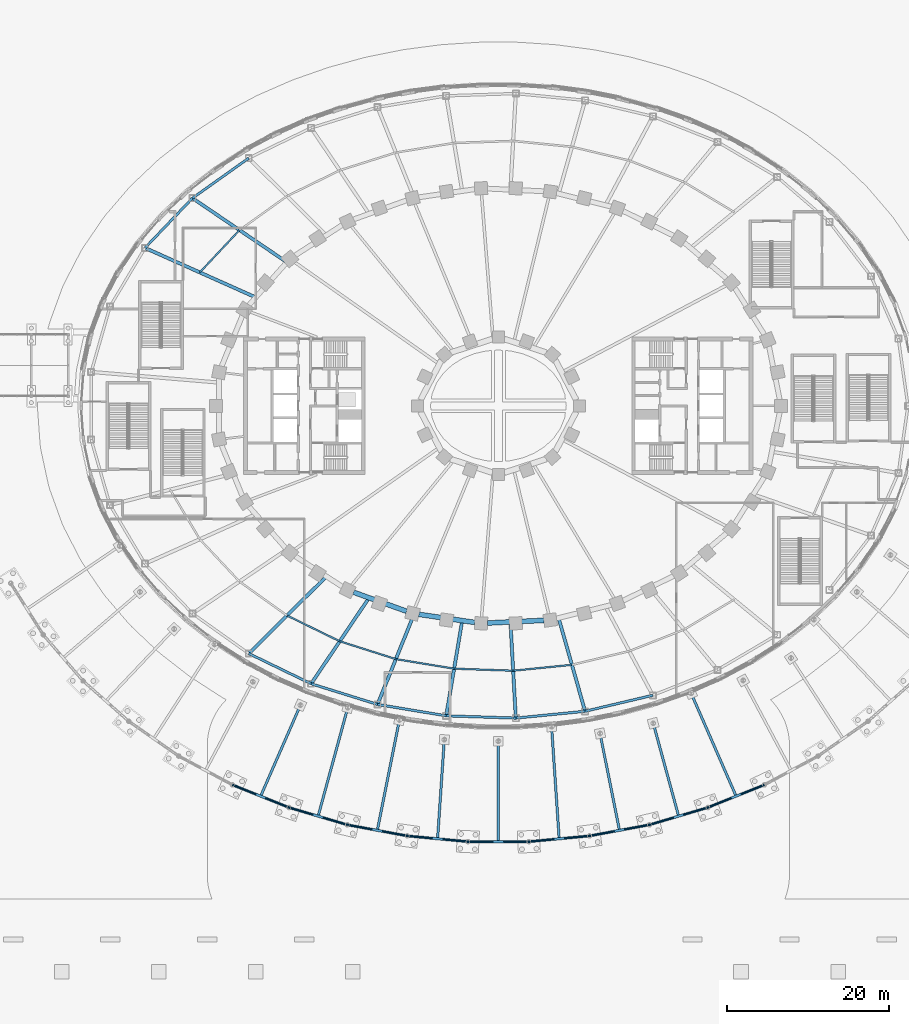
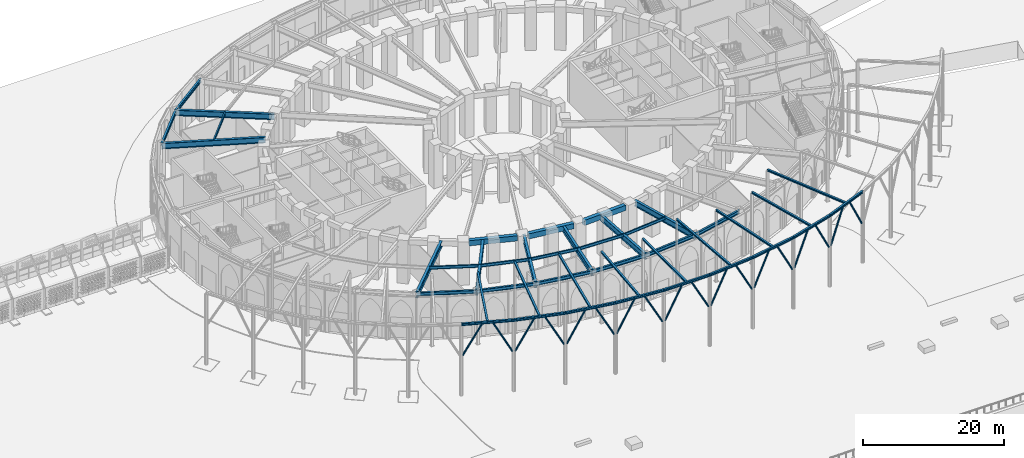
# One storey, part 30 of 79: 43 beams, 18 members.
"""IFC4 building model written with IfcOpenShell, lengths in metres."""

from ifc_helpers import new_model, si_unit, direction, frame, origin, origin_2d, place, context, subcontext, project, spatial, rectangle, hollow_circle, i_section, extrude, material, material_profile, profile_set, type_object, element, save


model = new_model("IFC4")

# Units and contexts
model_context = context("Model", 3, precision=1e-05, world=origin(), true_north=direction((0.0, 1.0)))
body_context = subcontext(model_context, "Body", "Model", "MODEL_VIEW")
ifc_project = project(units=[si_unit("LENGTHUNIT", "METRE"), si_unit("AREAUNIT", "SQUARE_METRE"), si_unit("VOLUMEUNIT", "CUBIC_METRE"), si_unit("PLANEANGLEUNIT", "RADIAN"), si_unit("MASSUNIT", "GRAM", prefix="KILO")], contexts=[model_context])

# Site, building, storey
site_placement = place(None, origin())
site = spatial("IfcSite", under=ifc_project, at=site_placement, CompositionType="ELEMENT")
building_placement = place(site_placement, origin())
building = spatial("IfcBuilding", under=site, at=building_placement, Name="Noorbagh Ring Tower", CompositionType="ELEMENT")
storey_placement = place(building_placement, origin())
storey = spatial("IfcBuildingStorey", under=building, at=storey_placement, Name="L00", CompositionType="ELEMENT", Elevation=0.0)

# Members
ifc_material_1 = material(Name="Steel S355", Category="steel")
ifc_material_profile_1 = material_profile(ifc_material_1, hollow_circle(Radius=0.136474609375, WallThickness=0.012451171875, at=origin_2d()), Name="CHS273x12.5")
ifc_profile_set_1 = profile_set([ifc_material_profile_1], Name="Steel S355")
member_type = type_object("IfcMemberType", Name="GND-CANOPY-BRANCH", PredefinedType="BRACE", material=ifc_profile_set_1)
member_1_placement = place(storey_placement, frame((-32.706298828125, -46.9375, 6.873291015625), z_axis=(0.438204609935, -0.176014723994, 0.881473503157), x_axis=(0.37272817373, 0.927940573802, 0.0)))
element("IfcMember", 1, at=member_1_placement, inside=storey, type_object=member_type, Name="Canopy branch 6.2", PredefinedType="BRACE", context=body_context, shape_type="SweptSolid", body=[
    extrude(hollow_circle(Radius=0.136474609375, WallThickness=0.012451171875, at=origin_2d()), origin(), (0.0, 0.0, 1.0), 5.9296875),
])
for number, where, z_axis, x_axis, name in (
    (2, (-26.086669921875, -49.5966796875, 6.873291015625), (-0.438171342181, 0.176017899626, 0.881489406574), (-0.372758331608, -0.927928459644, 0.0), "Canopy branch 7.1"),
    (3, (-25.709228515625, -49.72802734375, 6.873291015625), (0.452792551053, -0.133939635226, 0.881498201828), (0.283657804924, 0.958925570472, 0.0), "Canopy branch 7.2"),
    (4, (-18.8681640625, -51.751708984375, 6.873291015625), (-0.452792551053, 0.133939635226, 0.881498201828), (-0.283657804924, -0.958925570472, 0.0), "Canopy branch 8.1"),
    (5, (-18.479736328125, -51.844970703125, 6.873291015625), (0.464278402688, -0.086094904223, 0.88149488499), (0.182329683539, 0.983237451738, 0.0), "Canopy branch 8.2"),
):
    element("IfcMember", number, at=place(storey_placement, frame(where, z_axis=z_axis, x_axis=x_axis)), inside=storey, type_object=member_type, Name=name, PredefinedType="BRACE", context=body_context, shape_type="SweptSolid", body=[
        extrude(hollow_circle(Radius=0.136474609375, WallThickness=0.012451171875, at=origin_2d()), origin(), (0.0, 0.0, 1.0), 5.929443359375),
    ])
member_2_placement = place(storey_placement, frame((-11.46484375, -53.145751953125, 6.873291015625), z_axis=(-0.46431070055, 0.086093258389, 0.881478033881), x_axis=(-0.182314052691, -0.983240350164, 0.0)))
element("IfcMember", 6, at=member_2_placement, inside=storey, type_object=member_type, Name="Canopy branch 9.1", PredefinedType="BRACE", context=body_context, shape_type="SweptSolid", body=[
    extrude(hollow_circle(Radius=0.136474609375, WallThickness=0.012451171875, at=origin_2d()), origin(), (0.0, 0.0, 1.0), 5.9296875),
])
for number, where, z_axis, x_axis, name in (
    (7, (-11.069091796875, -53.200927734375, 6.873291015625), (0.470118473768, -0.04446732805, 0.881482431679), (0.094167184248, 0.995556397906, 0.0), "Canopy branch 9.2"),
    (8, (-3.96630859375, -53.872802734375, 6.873291015625), (-0.470118473768, 0.04446732805, 0.881482431679), (-0.094167184248, -0.995556397906, 0.0), "Canopy branch 10.1"),
):
    element("IfcMember", number, at=place(storey_placement, frame(where, z_axis=z_axis, x_axis=x_axis)), inside=storey, type_object=member_type, Name=name, PredefinedType="BRACE", context=body_context, shape_type="SweptSolid", body=[
        extrude(hollow_circle(Radius=0.136474609375, WallThickness=0.012451171875, at=origin_2d()), origin(), (0.0, 0.0, 1.0), 5.929443359375),
    ])
for number, where, z_axis, x_axis, name in (
    (9, (-3.567138671875, -53.8916015625, 6.873291015625), (0.472217984794, 0.0, 0.8814818063), (0.0, 1.0, 0.0), "Canopy branch 10.2"),
    (10, (3.567138671875, -53.8916015625, 6.873291015625), (-0.472217984794, 0.0, 0.8814818063), (0.0, -1.0, 0.0), "Canopy branch 11.1"),
):
    element("IfcMember", number, at=place(storey_placement, frame(where, z_axis=z_axis, x_axis=x_axis)), inside=storey, type_object=member_type, Name=name, PredefinedType="BRACE", context=body_context, shape_type="SweptSolid", body=[
        extrude(hollow_circle(Radius=0.136474609375, WallThickness=0.012451171875, at=origin_2d()), origin(), (0.0, 0.0, 1.0), 5.9296875),
    ])
for number, where, z_axis, x_axis, name in (
    (11, (3.96630859375, -53.872802734375, 6.873291015625), (0.470118473768, 0.04446732805, 0.881482431679), (-0.094167184248, 0.995556397906, 0.0), "Canopy branch 11.2"),
    (12, (11.069091796875, -53.200927734375, 6.873291015625), (-0.470118473768, -0.04446732805, 0.881482431679), (0.094167184248, -0.995556397906, 0.0), "Canopy branch 12.1"),
):
    element("IfcMember", number, at=place(storey_placement, frame(where, z_axis=z_axis, x_axis=x_axis)), inside=storey, type_object=member_type, Name=name, PredefinedType="BRACE", context=body_context, shape_type="SweptSolid", body=[
        extrude(hollow_circle(Radius=0.136474609375, WallThickness=0.012451171875, at=origin_2d()), origin(), (0.0, 0.0, 1.0), 5.929443359375),
    ])
member_3_placement = place(storey_placement, frame((11.46484375, -53.145751953125, 6.873291015625), z_axis=(0.46431070055, 0.086093258389, 0.881478033881), x_axis=(-0.182314052691, 0.983240350164, 0.0)))
element("IfcMember", 13, at=member_3_placement, inside=storey, type_object=member_type, Name="Canopy branch 12.2", PredefinedType="BRACE", context=body_context, shape_type="SweptSolid", body=[
    extrude(hollow_circle(Radius=0.136474609375, WallThickness=0.012451171875, at=origin_2d()), origin(), (0.0, 0.0, 1.0), 5.9296875),
])
for number, where, z_axis, x_axis, name in (
    (14, (18.479736328125, -51.844970703125, 6.873291015625), (-0.464278402688, -0.086094904223, 0.88149488499), (0.182329683539, -0.983237451738, 0.0), "Canopy branch 13.1"),
    (15, (18.8681640625, -51.751708984375, 6.873291015625), (0.452792551053, 0.133939635226, 0.881498201828), (-0.283657804924, 0.958925570472, 0.0), "Canopy branch 13.2"),
    (16, (25.709228515625, -49.72802734375, 6.873291015625), (-0.452792551053, -0.133939635226, 0.881498201828), (0.283657804924, -0.958925570472, 0.0), "Canopy branch 14.1"),
    (17, (26.086669921875, -49.5966796875, 6.873291015625), (0.438171342181, 0.176017899626, 0.881489406574), (-0.372758331608, 0.927928459644, 0.0), "Canopy branch 14.2"),
):
    element("IfcMember", number, at=place(storey_placement, frame(where, z_axis=z_axis, x_axis=x_axis)), inside=storey, type_object=member_type, Name=name, PredefinedType="BRACE", context=body_context, shape_type="SweptSolid", body=[
        extrude(hollow_circle(Radius=0.136474609375, WallThickness=0.012451171875, at=origin_2d()), origin(), (0.0, 0.0, 1.0), 5.929443359375),
    ])
member_4_placement = place(storey_placement, frame((32.706298828125, -46.9375, 6.873291015625), z_axis=(-0.438204609935, -0.176014723994, 0.881473503157), x_axis=(0.37272817373, -0.927940573802, 0.0)))
element("IfcMember", 18, at=member_4_placement, inside=storey, type_object=member_type, Name="Canopy branch 15.1", PredefinedType="BRACE", context=body_context, shape_type="SweptSolid", body=[
    extrude(hollow_circle(Radius=0.136474609375, WallThickness=0.012451171875, at=origin_2d()), origin(), (0.0, 0.0, 1.0), 5.9296875),
])

# Beams
ifc_material_2 = material(Name="Steel S355", Category="steel")
ifc_material_profile_2 = material_profile(ifc_material_2, i_section(OverallWidth=0.300048828125, OverallDepth=0.300048828125, WebThickness=0.010986328125, FlangeThickness=0.01904296875, FilletRadius=0.027099609375, at=origin_2d()), Name="HEB300")
ifc_profile_set_2 = profile_set([ifc_material_profile_2], Name="Steel S355")
beam_type_1 = type_object("IfcBeamType", Name="GND-CANOPY-LINK", PredefinedType="BEAM", material=ifc_profile_set_2)
beam_1_placement = place(storey_placement, frame((-24.47607421875, -37.008544921875, 12.300048828125), z_axis=(-0.400464239275, -0.91631238836, 0.0), x_axis=(0.91631238836, -0.400464239275, 0.0)))
element("IfcBeam", 19, at=beam_1_placement, inside=storey, type_object=beam_type_1, Name="Canopy link beam", PredefinedType="BEAM", context=body_context, shape_type="SweptSolid", body=[
    extrude(i_section(OverallWidth=0.300048828125, OverallDepth=0.300048828125, WebThickness=0.010986328125, FlangeThickness=0.01904296875, FilletRadius=0.027099609375, at=origin_2d()), origin(), (0.0, 0.0, 1.0), 12.13671875),
])
beam_2_placement = place(storey_placement, frame((-18.62451171875, -37.320068359375, 12.300048828125), z_axis=(-0.263405622532, -0.964685170415, 0.0), x_axis=(0.964685170415, -0.263405622532, 0.0)))
element("IfcBeam", 20, at=beam_2_placement, inside=storey, type_object=beam_type_1, Name="Canopy link beam", PredefinedType="BEAM", context=body_context, shape_type="SweptSolid", body=[
    extrude(i_section(OverallWidth=0.300048828125, OverallDepth=0.300048828125, WebThickness=0.010986328125, FlangeThickness=0.01904296875, FilletRadius=0.027099609375, at=origin_2d()), origin(), (0.0, 0.0, 1.0), 13.76123046875),
])
beam_3_placement = place(storey_placement, frame((-12.23583984375, -38.84521484375, 12.300048828125), z_axis=(-0.196562711869, -0.980491254577, 0.0), x_axis=(0.980491254577, -0.196562711869, 0.0)))
element("IfcBeam", 21, at=beam_3_placement, inside=storey, type_object=beam_type_1, Name="Canopy link beam", PredefinedType="BEAM", context=body_context, shape_type="SweptSolid", body=[
    extrude(i_section(OverallWidth=0.300048828125, OverallDepth=0.300048828125, WebThickness=0.010986328125, FlangeThickness=0.01904296875, FilletRadius=0.027099609375, at=origin_2d()), origin(), (0.0, 0.0, 1.0), 13.771728515625),
])
beam_4_placement = place(storey_placement, frame((-6.686767578125, -41.274658203125, 12.300048828125), z_axis=(-0.067609442812, -0.997711863838, 0.0), x_axis=(0.997711863838, -0.067609442812, 0.0)))
element("IfcBeam", 22, at=beam_4_placement, inside=storey, type_object=beam_type_1, Name="Canopy link beam", PredefinedType="BEAM", context=body_context, shape_type="SweptSolid", body=[
    extrude(i_section(OverallWidth=0.300048828125, OverallDepth=0.300048828125, WebThickness=0.010986328125, FlangeThickness=0.01904296875, FilletRadius=0.027099609375, at=origin_2d()), origin(), (0.0, 0.0, 1.0), 12.140380859375),
])
beam_5_placement = place(storey_placement, frame((0.0, -41.464111328125, 12.300048828125), z_axis=(0.0, -1.0, 0.0), x_axis=(1.0, 0.0, 0.0)))
element("IfcBeam", 23, at=beam_5_placement, inside=storey, type_object=beam_type_1, Name="Canopy link beam", PredefinedType="BEAM", context=body_context, shape_type="SweptSolid", body=[
    extrude(i_section(OverallWidth=0.300048828125, OverallDepth=0.300048828125, WebThickness=0.010986328125, FlangeThickness=0.01904296875, FilletRadius=0.027099609375, at=origin_2d()), origin(), (0.0, 0.0, 1.0), 12.277587890625),
])
beam_6_placement = place(storey_placement, frame((6.57861328125, -39.67822265625, 12.300048828125), z_axis=(0.06760746105, -0.997711998129, 0.0), x_axis=(0.997711998129, 0.06760746105, 0.0)))
element("IfcBeam", 24, at=beam_6_placement, inside=storey, type_object=beam_type_1, Name="Canopy link beam", PredefinedType="BEAM", context=body_context, shape_type="SweptSolid", body=[
    extrude(i_section(OverallWidth=0.300048828125, OverallDepth=0.300048828125, WebThickness=0.010986328125, FlangeThickness=0.01904296875, FilletRadius=0.027099609375, at=origin_2d()), origin(), (0.0, 0.0, 1.0), 13.740478515625),
])
beam_7_placement = place(storey_placement, frame((12.570068359375, -40.511962890625, 12.300048828125), z_axis=(0.196555595252, -0.980492681245, 0.0), x_axis=(0.980492681245, 0.196555595252, 0.0)))
element("IfcBeam", 25, at=beam_7_placement, inside=storey, type_object=beam_type_1, Name="Canopy link beam", PredefinedType="BEAM", context=body_context, shape_type="SweptSolid", body=[
    extrude(i_section(OverallWidth=0.300048828125, OverallDepth=0.300048828125, WebThickness=0.010986328125, FlangeThickness=0.01904296875, FilletRadius=0.027099609375, at=origin_2d()), origin(), (0.0, 0.0, 1.0), 12.072021484375),
])
beam_8_placement = place(storey_placement, frame((19.1513671875, -39.24951171875, 12.300048828125), z_axis=(0.263403700841, -0.964685695127, 0.0), x_axis=(0.964685695127, 0.263403700841, 0.0)))
element("IfcBeam", 26, at=beam_8_placement, inside=storey, type_object=beam_type_1, Name="Canopy link beam", PredefinedType="BEAM", context=body_context, shape_type="SweptSolid", body=[
    extrude(i_section(OverallWidth=0.300048828125, OverallDepth=0.300048828125, WebThickness=0.010986328125, FlangeThickness=0.01904296875, FilletRadius=0.027099609375, at=origin_2d()), origin(), (0.0, 0.0, 1.0), 11.760986328125),
])
beam_9_placement = place(storey_placement, frame((23.83544921875, -35.54248046875, 12.300048828125), z_axis=(0.400457984828, -0.916315121772, 0.0), x_axis=(0.916315121772, 0.400457984828, 0.0)))
element("IfcBeam", 27, at=beam_9_placement, inside=storey, type_object=beam_type_1, Name="Canopy link beam", PredefinedType="BEAM", context=body_context, shape_type="SweptSolid", body=[
    extrude(i_section(OverallWidth=0.300048828125, OverallDepth=0.300048828125, WebThickness=0.010986328125, FlangeThickness=0.01904296875, FilletRadius=0.027099609375, at=origin_2d()), origin(), (0.0, 0.0, 1.0), 13.73681640625),
])
ifc_material_3 = material(Name="Steel S355", Category="steel")
ifc_material_profile_3 = material_profile(ifc_material_3, i_section(OverallWidth=0.300048828125, OverallDepth=0.39990234375, WebThickness=0.013427734375, FlangeThickness=0.02392578125, FilletRadius=0.027099609375, at=origin_2d()), Name="HEB400")
ifc_profile_set_3 = profile_set([ifc_material_profile_3], Name="Steel S355")
beam_type_2 = type_object("IfcBeamType", Name="GND-CANOPY-RING", PredefinedType="BEAM", material=ifc_profile_set_3)
for number, where, z_axis, x_axis, name in (
    (28, (-32.891845703125, -46.863037109375, 12.25), (0.927928142612, -0.372759120812, 0.0), (0.372759120812, 0.927928142612, 0.0), "Canopy ring beam"),
    (29, (-25.90087890625, -49.67138671875, 12.25), (0.958918985525, -0.283680064861, 0.0), (0.283680064861, 0.958918985525, 0.0), "Canopy ring beam"),
):
    element("IfcBeam", number, at=place(storey_placement, frame(where, z_axis=z_axis, x_axis=x_axis)), inside=storey, type_object=beam_type_2, Name=name, PredefinedType="BEAM", context=body_context, shape_type="SweptSolid", body=[
        extrude(i_section(OverallWidth=0.300048828125, OverallDepth=0.39990234375, WebThickness=0.013427734375, FlangeThickness=0.02392578125, FilletRadius=0.027099609375, at=origin_2d()), origin(), (0.0, 0.0, 1.0), 7.533935546875),
    ])
beam_10_placement = place(storey_placement, frame((-18.676513671875, -51.80859375, 12.25), z_axis=(0.98324287499, -0.182300435496, 0.0), x_axis=(0.182300435496, 0.98324287499, 0.0)))
element("IfcBeam", 30, at=beam_10_placement, inside=storey, type_object=beam_type_2, Name="Canopy ring beam", PredefinedType="BEAM", context=body_context, shape_type="SweptSolid", body=[
    extrude(i_section(OverallWidth=0.300048828125, OverallDepth=0.39990234375, WebThickness=0.013427734375, FlangeThickness=0.02392578125, FilletRadius=0.027099609375, at=origin_2d()), origin(), (0.0, 0.0, 1.0), 7.534423828125),
])
beam_11_placement = place(storey_placement, frame((-11.268310546875, -53.18212890625, 12.25), z_axis=(0.995557007652, -0.094160737648, 0.0), x_axis=(0.094160737648, 0.995557007652, 0.0)))
element("IfcBeam", 31, at=beam_11_placement, inside=storey, type_object=beam_type_2, Name="Canopy ring beam", PredefinedType="BEAM", context=body_context, shape_type="SweptSolid", body=[
    extrude(i_section(OverallWidth=0.300048828125, OverallDepth=0.39990234375, WebThickness=0.013427734375, FlangeThickness=0.02392578125, FilletRadius=0.027099609375, at=origin_2d()), origin(), (0.0, 0.0, 1.0), 7.53466796875),
])
beam_12_placement = place(storey_placement, frame((-3.76708984375, -53.8916015625, 12.25), z_axis=(1.0, 0.0, 0.0), x_axis=(0.0, 1.0, 0.0)))
element("IfcBeam", 32, at=beam_12_placement, inside=storey, type_object=beam_type_2, Name="Canopy ring beam", PredefinedType="BEAM", context=body_context, shape_type="SweptSolid", body=[
    extrude(i_section(OverallWidth=0.300048828125, OverallDepth=0.39990234375, WebThickness=0.013427734375, FlangeThickness=0.02392578125, FilletRadius=0.027099609375, at=origin_2d()), origin(), (0.0, 0.0, 1.0), 7.5341796875),
])
beam_13_placement = place(storey_placement, frame((3.76708984375, -53.8916015625, 12.25), z_axis=(0.995557007652, 0.094160737648, 0.0), x_axis=(-0.094160737648, 0.995557007652, 0.0)))
element("IfcBeam", 33, at=beam_13_placement, inside=storey, type_object=beam_type_2, Name="Canopy ring beam", PredefinedType="BEAM", context=body_context, shape_type="SweptSolid", body=[
    extrude(i_section(OverallWidth=0.300048828125, OverallDepth=0.39990234375, WebThickness=0.013427734375, FlangeThickness=0.02392578125, FilletRadius=0.027099609375, at=origin_2d()), origin(), (0.0, 0.0, 1.0), 7.53466796875),
])
beam_14_placement = place(storey_placement, frame((11.268310546875, -53.18212890625, 12.25), z_axis=(0.98324287499, 0.182300435496, 0.0), x_axis=(-0.182300435496, 0.98324287499, 0.0)))
element("IfcBeam", 34, at=beam_14_placement, inside=storey, type_object=beam_type_2, Name="Canopy ring beam", PredefinedType="BEAM", context=body_context, shape_type="SweptSolid", body=[
    extrude(i_section(OverallWidth=0.300048828125, OverallDepth=0.39990234375, WebThickness=0.013427734375, FlangeThickness=0.02392578125, FilletRadius=0.027099609375, at=origin_2d()), origin(), (0.0, 0.0, 1.0), 7.534423828125),
])
for number, where, z_axis, x_axis, name in (
    (35, (18.676513671875, -51.80859375, 12.25), (0.958918985525, 0.283680064861, 0.0), (-0.283680064861, 0.958918985525, 0.0), "Canopy ring beam"),
    (36, (25.90087890625, -49.67138671875, 12.25), (0.927928142612, 0.372759120812, 0.0), (-0.372759120812, 0.927928142612, 0.0), "Canopy ring beam"),
):
    element("IfcBeam", number, at=place(storey_placement, frame(where, z_axis=z_axis, x_axis=x_axis)), inside=storey, type_object=beam_type_2, Name=name, PredefinedType="BEAM", context=body_context, shape_type="SweptSolid", body=[
        extrude(i_section(OverallWidth=0.300048828125, OverallDepth=0.39990234375, WebThickness=0.013427734375, FlangeThickness=0.02392578125, FilletRadius=0.027099609375, at=origin_2d()), origin(), (0.0, 0.0, 1.0), 7.533935546875),
    ])
ifc_material_4 = material(Name="Steel S355", Category="steel")
ifc_material_profile_4 = material_profile(ifc_material_4, i_section(OverallWidth=0.300048828125, OverallDepth=0.60009765625, WebThickness=0.015380859375, FlangeThickness=0.030029296875, FilletRadius=0.027099609375, at=origin_2d()), Name="HEB600")
ifc_profile_set_4 = profile_set([ifc_material_profile_4], Name="Steel S355")
beam_type_3 = type_object("IfcBeamType", Name="GND-EDGE-BEAM-HEB600", PredefinedType="BEAM", material=ifc_profile_set_4)
beam_15_placement = place(storey_placement, frame((-30.869384765625, 30.629150390625, 6.949951171875), z_axis=(-0.815104059745, -0.579314570667, 0.0), x_axis=(0.579314570667, -0.815104059745, 0.0)))
element("IfcBeam", 37, at=beam_15_placement, inside=storey, type_object=beam_type_3, Name="L00/bm/ERP-13", PredefinedType="BEAM", context=body_context, shape_type="SweptSolid", body=[
    extrude(i_section(OverallWidth=0.300048828125, OverallDepth=0.60009765625, WebThickness=0.015380859375, FlangeThickness=0.030029296875, FilletRadius=0.027099609375, at=origin_2d()), origin(), (0.0, 0.0, 1.0), 8.543212890625),
])
beam_16_placement = place(storey_placement, frame((-37.8330078125, 25.679931640625, 6.949951171875), z_axis=(-0.689738356688, -0.724058698804, 0.0), x_axis=(0.724058698804, -0.689738356688, 0.0)))
element("IfcBeam", 38, at=beam_16_placement, inside=storey, type_object=beam_type_3, Name="L00/bm/ERP-14", PredefinedType="BEAM", context=body_context, shape_type="SweptSolid", body=[
    extrude(i_section(OverallWidth=0.300048828125, OverallDepth=0.60009765625, WebThickness=0.015380859375, FlangeThickness=0.030029296875, FilletRadius=0.027099609375, at=origin_2d()), origin(), (0.0, 0.0, 1.0), 8.500732421875),
])
beam_17_placement = place(storey_placement, frame((-30.869384765625, -30.629150390625, 6.949951171875), z_axis=(0.89994920641, -0.435994754421, 0.0), x_axis=(0.435994754421, 0.89994920641, 0.0)))
element("IfcBeam", 39, at=beam_17_placement, inside=storey, type_object=beam_type_3, Name="L00/bm/ERP-22", PredefinedType="BEAM", context=body_context, shape_type="SweptSolid", body=[
    extrude(i_section(OverallWidth=0.300048828125, OverallDepth=0.60009765625, WebThickness=0.015380859375, FlangeThickness=0.030029296875, FilletRadius=0.027099609375, at=origin_2d()), origin(), (0.0, 0.0, 1.0), 8.57470703125),
])
beam_18_placement = place(storey_placement, frame((-23.152587890625, -34.36767578125, 6.949951171875), z_axis=(0.954717204091, -0.297514806713, 0.0), x_axis=(0.297514806713, 0.954717204091, 0.0)))
element("IfcBeam", 40, at=beam_18_placement, inside=storey, type_object=beam_type_3, Name="L00/bm/ERP-23", PredefinedType="BEAM", context=body_context, shape_type="SweptSolid", body=[
    extrude(i_section(OverallWidth=0.300048828125, OverallDepth=0.60009765625, WebThickness=0.015380859375, FlangeThickness=0.030029296875, FilletRadius=0.027099609375, at=origin_2d()), origin(), (0.0, 0.0, 1.0), 8.595703125),
])
beam_19_placement = place(storey_placement, frame((-14.946044921875, -36.925048828125, 6.949951171875), z_axis=(0.986523163949, -0.163621658075, 0.0), x_axis=(0.163621658075, 0.986523163949, 0.0)))
element("IfcBeam", 41, at=beam_19_placement, inside=storey, type_object=beam_type_3, Name="L00/bm/ERP-24", PredefinedType="BEAM", context=body_context, shape_type="SweptSolid", body=[
    extrude(i_section(OverallWidth=0.300048828125, OverallDepth=0.60009765625, WebThickness=0.015380859375, FlangeThickness=0.030029296875, FilletRadius=0.027099609375, at=origin_2d()), origin(), (0.0, 0.0, 1.0), 8.60791015625),
])
beam_20_placement = place(storey_placement, frame((-6.4541015625, -38.33349609375, 6.949951171875), z_axis=(0.999468589483, -0.032596604688, 0.0), x_axis=(0.032596604688, 0.999468589483, 0.0)))
element("IfcBeam", 42, at=beam_20_placement, inside=storey, type_object=beam_type_3, Name="L00/bm/ERP-25", PredefinedType="BEAM", context=body_context, shape_type="SweptSolid", body=[
    extrude(i_section(OverallWidth=0.300048828125, OverallDepth=0.60009765625, WebThickness=0.015380859375, FlangeThickness=0.030029296875, FilletRadius=0.027099609375, at=origin_2d()), origin(), (0.0, 0.0, 1.0), 8.61328125),
])
beam_21_placement = place(storey_placement, frame((2.154541015625, -38.6142578125, 6.949951171875), z_axis=(0.9951967317, 0.097895174616, 0.0), x_axis=(-0.097895174616, 0.9951967317, 0.0)))
element("IfcBeam", 43, at=beam_21_placement, inside=storey, type_object=beam_type_3, Name="L00/bm/ERP-26", PredefinedType="BEAM", context=body_context, shape_type="SweptSolid", body=[
    extrude(i_section(OverallWidth=0.300048828125, OverallDepth=0.60009765625, WebThickness=0.015380859375, FlangeThickness=0.030029296875, FilletRadius=0.027099609375, at=origin_2d()), origin(), (0.0, 0.0, 1.0), 8.611328125),
])
beam_22_placement = place(storey_placement, frame((10.724609375, -37.771240234375, 6.949951171875), z_axis=(0.973167977411, 0.230095822957, 0.0), x_axis=(-0.230095822957, 0.973167977411, 0.0)))
element("IfcBeam", 44, at=beam_22_placement, inside=storey, type_object=beam_type_3, Name="L00/bm/ERP-27", PredefinedType="BEAM", context=body_context, shape_type="SweptSolid", body=[
    extrude(i_section(OverallWidth=0.300048828125, OverallDepth=0.60009765625, WebThickness=0.015380859375, FlangeThickness=0.030029296875, FilletRadius=0.027099609375, at=origin_2d()), origin(), (0.0, 0.0, 1.0), 8.602783203125),
])
ifc_material_5 = material(Name="Steel S355", Category="steel")
ifc_material_profile_5 = material_profile(ifc_material_5, i_section(OverallWidth=0.39990234375, OverallDepth=1.0, WebThickness=0.01611328125, FlangeThickness=0.0400390625, at=origin_2d()), Name="PG1000x400x16x40")
ifc_profile_set_5 = profile_set([ifc_material_profile_5], Name="Steel S355")
beam_type_4 = type_object("IfcBeamType", Name="GND-GIRDER-PG1000x400x16x40", PredefinedType="BEAM", material=ifc_profile_set_5)
beam_23_placement = place(storey_placement, frame((-37.8330078125, 25.679931640625, 6.75), z_axis=(0.82739656341, -0.561618132593, 0.0), x_axis=(0.561618132593, 0.82739656341, 0.0)))
element("IfcBeam", 45, at=beam_23_placement, inside=storey, type_object=beam_type_4, Name="L00/bm/GRP-14", PredefinedType="BEAM", context=body_context, shape_type="SweptSolid", body=[
    extrude(i_section(OverallWidth=0.39990234375, OverallDepth=1.0, WebThickness=0.01611328125, FlangeThickness=0.0400390625, at=origin_2d()), origin(), (0.0, 0.0, 1.0), 14.06640625),
])
beam_24_placement = place(storey_placement, frame((-43.6962890625, 19.52490234375, 6.75), z_axis=(0.91299879945, -0.4079622436, 0.0), x_axis=(0.4079622436, 0.91299879945, 0.0)))
element("IfcBeam", 46, at=beam_24_placement, inside=storey, type_object=beam_type_4, Name="L00/bm/GRP-15", PredefinedType="BEAM", context=body_context, shape_type="SweptSolid", body=[
    extrude(i_section(OverallWidth=0.39990234375, OverallDepth=1.0, WebThickness=0.01611328125, FlangeThickness=0.0400390625, at=origin_2d()), origin(), (0.0, 0.0, 1.0), 14.8359375),
])
beam_25_placement = place(storey_placement, frame((-30.869384765625, -30.629150390625, 6.75), z_axis=(0.70986613718, 0.704336615039, 0.0), x_axis=(-0.704336615039, 0.70986613718, 0.0)))
element("IfcBeam", 47, at=beam_25_placement, inside=storey, type_object=beam_type_4, Name="L00/bm/GRP-22", PredefinedType="BEAM", context=body_context, shape_type="SweptSolid", body=[
    extrude(i_section(OverallWidth=0.39990234375, OverallDepth=1.0, WebThickness=0.01611328125, FlangeThickness=0.0400390625, at=origin_2d()), origin(), (0.0, 0.0, 1.0), 13.333984375),
])
beam_26_placement = place(storey_placement, frame((-23.152587890625, -34.36767578125, 6.75), z_axis=(0.558711358029, 0.829362175656, 0.0), x_axis=(-0.829362175656, 0.558711358029, 0.0)))
element("IfcBeam", 48, at=beam_26_placement, inside=storey, type_object=beam_type_4, Name="L00/bm/GRP-23", PredefinedType="BEAM", context=body_context, shape_type="SweptSolid", body=[
    extrude(i_section(OverallWidth=0.39990234375, OverallDepth=1.0, WebThickness=0.01611328125, FlangeThickness=0.0400390625, at=origin_2d()), origin(), (0.0, 0.0, 1.0), 12.6630859375),
])
beam_27_placement = place(storey_placement, frame((-14.946044921875, -36.925048828125, 6.75), z_axis=(0.375201842514, 0.926943135998, 0.0), x_axis=(-0.926943135998, 0.375201842514, 0.0)))
element("IfcBeam", 49, at=beam_27_placement, inside=storey, type_object=beam_type_4, Name="L00/bm/GRP-24", PredefinedType="BEAM", context=body_context, shape_type="SweptSolid", body=[
    extrude(i_section(OverallWidth=0.39990234375, OverallDepth=1.0, WebThickness=0.01611328125, FlangeThickness=0.0400390625, at=origin_2d()), origin(), (0.0, 0.0, 1.0), 12.094970703125),
])
beam_28_placement = place(storey_placement, frame((-6.4541015625, -38.33349609375, 6.75), z_axis=(0.166032765637, 0.986120236449, 0.0), x_axis=(-0.986120236449, 0.166032765637, 0.0)))
element("IfcBeam", 50, at=beam_28_placement, inside=storey, type_object=beam_type_4, Name="L00/bm/GRP-25", PredefinedType="BEAM", context=body_context, shape_type="SweptSolid", body=[
    extrude(i_section(OverallWidth=0.39990234375, OverallDepth=1.0, WebThickness=0.01611328125, FlangeThickness=0.0400390625, at=origin_2d()), origin(), (0.0, 0.0, 1.0), 11.82373046875),
])
beam_29_placement = place(storey_placement, frame((2.154541015625, -38.6142578125, 6.75), z_axis=(-0.055716608816, 0.998446623261, 0.0), x_axis=(-0.998446623261, -0.055716608816, 0.0)))
element("IfcBeam", 51, at=beam_29_placement, inside=storey, type_object=beam_type_4, Name="L00/bm/GRP-26", PredefinedType="BEAM", context=body_context, shape_type="SweptSolid", body=[
    extrude(i_section(OverallWidth=0.39990234375, OverallDepth=1.0, WebThickness=0.01611328125, FlangeThickness=0.0400390625, at=origin_2d()), origin(), (0.0, 0.0, 1.0), 11.734619140625),
])
beam_30_placement = place(storey_placement, frame((10.724609375, -37.771240234375, 6.75), z_axis=(-0.273130016452, 0.961977127645, 0.0), x_axis=(-0.961977127645, -0.273130016452, 0.0)))
element("IfcBeam", 52, at=beam_30_placement, inside=storey, type_object=beam_type_4, Name="L00/bm/GRP-27", PredefinedType="BEAM", context=body_context, shape_type="SweptSolid", body=[
    extrude(i_section(OverallWidth=0.39990234375, OverallDepth=1.0, WebThickness=0.01611328125, FlangeThickness=0.0400390625, at=origin_2d()), origin(), (0.0, 0.0, 1.0), 11.939208984375),
])
ifc_material_6 = material(Name="Steel S355", Category="steel")
ifc_material_profile_6 = material_profile(ifc_material_6, i_section(OverallWidth=0.199951171875, OverallDepth=0.5, WebThickness=0.01025390625, FlangeThickness=0.01611328125, FilletRadius=0.02099609375, at=origin_2d()), Name="IPE500")
ifc_profile_set_6 = profile_set([ifc_material_profile_6], Name="Steel S355")
beam_type_5 = type_object("IfcBeamType", Name="GND-MID-BEAM-IPE500", PredefinedType="JOIST", material=ifc_profile_set_6)
beam_31_placement = place(storey_placement, frame((-32.013916015625, 21.72998046875, 7.0), z_axis=(-0.684360968268, -0.729143377609, 0.0), x_axis=(0.729143377609, -0.684360968268, 0.0)))
element("IfcBeam", 53, at=beam_31_placement, inside=storey, type_object=beam_type_5, Name="L00/bm/MRP-14", PredefinedType="JOIST", context=body_context, shape_type="SweptSolid", body=[
    extrude(i_section(OverallWidth=0.199951171875, OverallDepth=0.5, WebThickness=0.01025390625, FlangeThickness=0.01611328125, FilletRadius=0.02099609375, at=origin_2d()), origin(), (0.0, 0.0, 1.0), 7.174560546875),
])
beam_32_placement = place(storey_placement, frame((-26.13671875, -25.933349609375, 7.0), z_axis=(0.898658812704, -0.438648308271, 0.0), x_axis=(0.438648308271, 0.898658812704, 0.0)))
element("IfcBeam", 54, at=beam_32_placement, inside=storey, type_object=beam_type_5, Name="L00/bm/MRP-22", PredefinedType="JOIST", context=body_context, shape_type="SweptSolid", body=[
    extrude(i_section(OverallWidth=0.199951171875, OverallDepth=0.5, WebThickness=0.01025390625, FlangeThickness=0.01611328125, FilletRadius=0.02099609375, at=origin_2d()), origin(), (0.0, 0.0, 1.0), 7.257080078125),
])
beam_33_placement = place(storey_placement, frame((-19.614990234375, -29.11669921875, 7.0), z_axis=(0.9531202752, -0.302591706765, 0.0), x_axis=(0.302591706765, 0.9531202752, 0.0)))
element("IfcBeam", 55, at=beam_33_placement, inside=storey, type_object=beam_type_5, Name="L00/bm/MRP-23", PredefinedType="JOIST", context=body_context, shape_type="SweptSolid", body=[
    extrude(i_section(OverallWidth=0.199951171875, OverallDepth=0.5, WebThickness=0.01025390625, FlangeThickness=0.01611328125, FilletRadius=0.02099609375, at=origin_2d()), origin(), (0.0, 0.0, 1.0), 7.279296875),
])
beam_34_placement = place(storey_placement, frame((-12.677001953125, -31.3193359375, 7.0), z_axis=(0.986756598534, -0.162207938309, 0.0), x_axis=(0.162207938309, 0.986756598534, 0.0)))
element("IfcBeam", 56, at=beam_34_placement, inside=storey, type_object=beam_type_5, Name="L00/bm/MRP-24", PredefinedType="JOIST", context=body_context, shape_type="SweptSolid", body=[
    extrude(i_section(OverallWidth=0.199951171875, OverallDepth=0.5, WebThickness=0.01025390625, FlangeThickness=0.01611328125, FilletRadius=0.02099609375, at=origin_2d()), origin(), (0.0, 0.0, 1.0), 7.30126953125),
])
beam_35_placement = place(storey_placement, frame((-5.472412109375, -32.503662109375, 7.0), z_axis=(0.999402620435, -0.034560125398, 0.0), x_axis=(0.034560125398, 0.999402620435, 0.0)))
element("IfcBeam", 57, at=beam_35_placement, inside=storey, type_object=beam_type_5, Name="L00/bm/MRP-25", PredefinedType="JOIST", context=body_context, shape_type="SweptSolid", body=[
    extrude(i_section(OverallWidth=0.199951171875, OverallDepth=0.5, WebThickness=0.01025390625, FlangeThickness=0.01611328125, FilletRadius=0.02099609375, at=origin_2d()), origin(), (0.0, 0.0, 1.0), 7.304443359375),
])
beam_36_placement = place(storey_placement, frame((1.82763671875, -32.756103515625, 7.0), z_axis=(0.99502493545, 0.099626190493, 0.0), x_axis=(-0.099626190493, 0.99502493545, 0.0)))
element("IfcBeam", 58, at=beam_36_placement, inside=storey, type_object=beam_type_5, Name="L00/bm/MRP-26", PredefinedType="JOIST", context=body_context, shape_type="SweptSolid", body=[
    extrude(i_section(OverallWidth=0.199951171875, OverallDepth=0.5, WebThickness=0.01025390625, FlangeThickness=0.01611328125, FilletRadius=0.02099609375, at=origin_2d()), origin(), (0.0, 0.0, 1.0), 7.302734375),
])
ifc_material_7 = material(Name="Concrete C40/50", Category="concrete")
ifc_material_profile_7 = material_profile(ifc_material_7, rectangle(XDim=0.60009765625, YDim=0.89990234375, at=origin_2d()), Name="RC600x900")
ifc_profile_set_7 = profile_set([ifc_material_profile_7], Name="Concrete C40/50")
beam_type_6 = type_object("IfcBeamType", Name="STR-SB-RC600x900-C40-50", PredefinedType="BEAM", material=ifc_profile_set_7)
beam_37_placement = place(storey_placement, frame((-17.90771484375, -23.051025390625, 6.800048828125), z_axis=(0.941030272182, -0.338322371175, 0.0), x_axis=(0.338322371175, 0.941030272182, 0.0)))
element("IfcBeam", 59, at=beam_37_placement, inside=storey, type_object=beam_type_6, Name="L00/bm/SP31", PredefinedType="BEAM", context=body_context, shape_type="SweptSolid", body=[
    extrude(rectangle(XDim=0.60009765625, YDim=0.89990234375, at=origin_2d()), origin(), (0.0, 0.0, 1.0), 6.96728515625),
])
beam_38_placement = place(storey_placement, frame((-9.83740234375, -25.785888671875, 6.800048828125), z_axis=(0.989714845194, -0.143054273623, 0.0), x_axis=(0.143054273623, 0.989714845194, 0.0)))
element("IfcBeam", 60, at=beam_38_placement, inside=storey, type_object=beam_type_6, Name="L00/bm/SP33", PredefinedType="BEAM", context=body_context, shape_type="SweptSolid", body=[
    extrude(rectangle(XDim=0.60009765625, YDim=0.89990234375, at=origin_2d()), origin(), (0.0, 0.0, 1.0), 6.990234375),
])
beam_39_placement = place(storey_placement, frame((-1.3603515625, -26.86083984375, 6.800048828125), z_axis=(0.998867742854, 0.047573440964, 0.0), x_axis=(-0.047573440964, 0.998867742854, 0.0)))
element("IfcBeam", 61, at=beam_39_placement, inside=storey, type_object=beam_type_6, Name="L00/bm/SP35", PredefinedType="BEAM", context=body_context, shape_type="SweptSolid", body=[
    extrude(rectangle(XDim=0.60009765625, YDim=0.89990234375, at=origin_2d()), origin(), (0.0, 0.0, 1.0), 6.99462890625),
])

save(model, "model.ifc")
